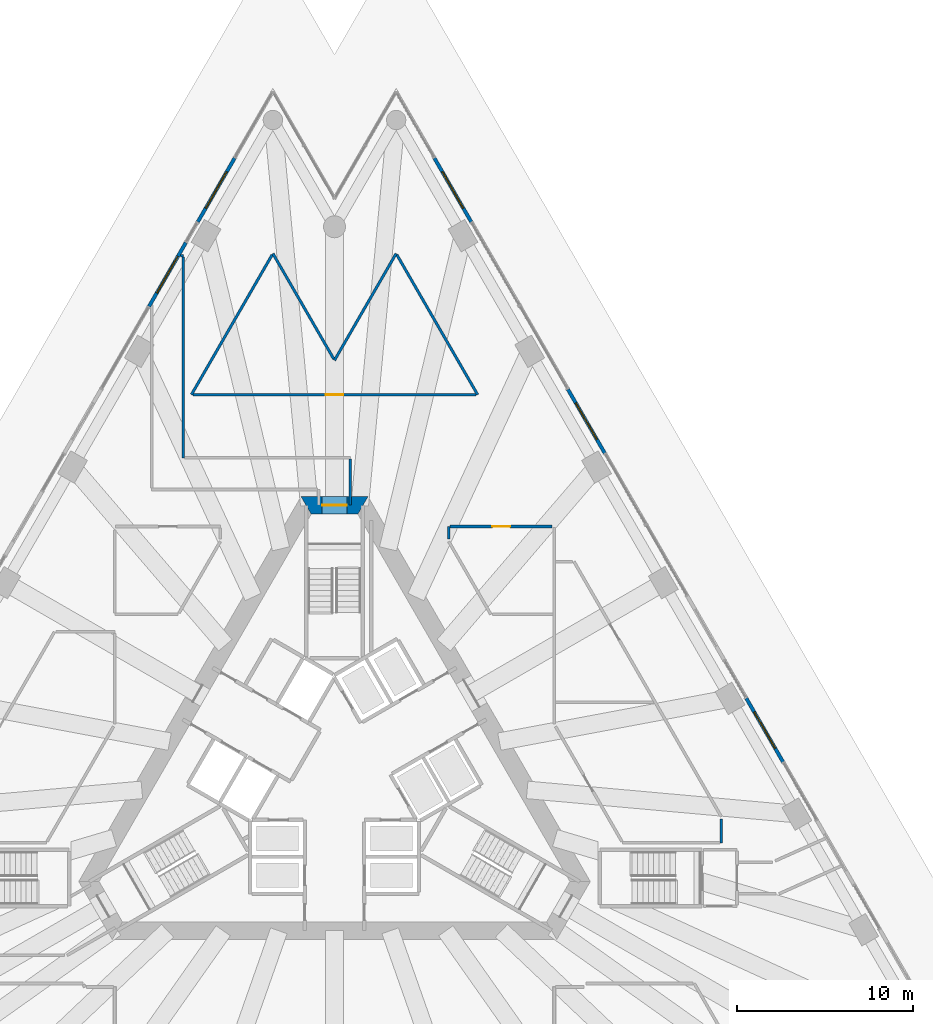
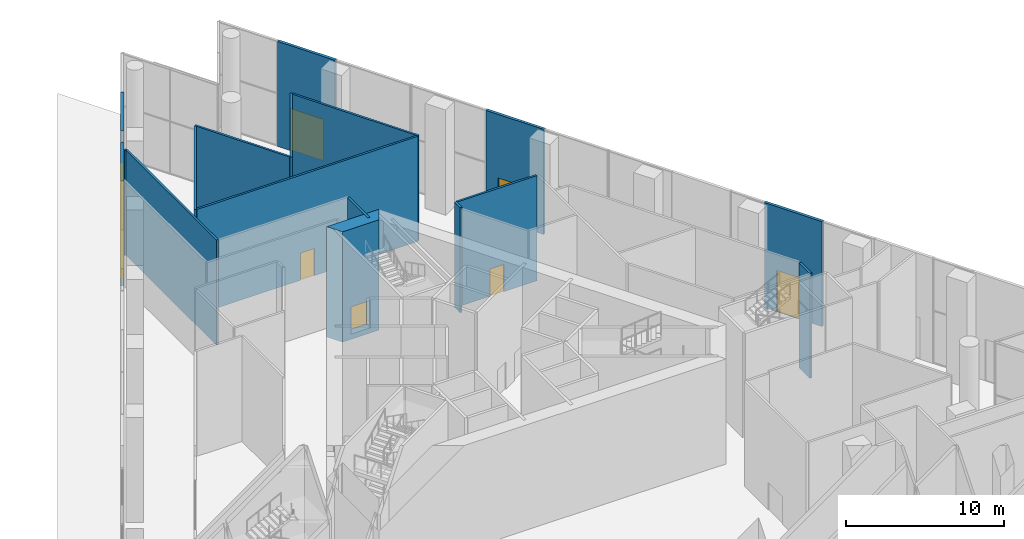
# One storey, part 27 of 41: 17 walls, 8 doors, 8 openings.
"""IFC4 building model written with IfcOpenShell, lengths in metres."""

from ifc_helpers import new_model, si_unit, direction, frame, frame_2d, origin, place, context, subcontext, project, spatial, polyline, rectangle, outline, extrude, material, layer, layer_set, layer_usage, type_object, element, fill, save


model = new_model("IFC4")

# Units and contexts
model_context = context("Model", 3, precision=1e-05, world=origin(), true_north=direction((0.0, 1.0)))
body_context = subcontext(model_context, "Body", "Model", "MODEL_VIEW")
ifc_project = project(units=[si_unit("LENGTHUNIT", "METRE"), si_unit("AREAUNIT", "SQUARE_METRE"), si_unit("VOLUMEUNIT", "CUBIC_METRE"), si_unit("PLANEANGLEUNIT", "RADIAN"), si_unit("MASSUNIT", "GRAM", prefix="KILO")], contexts=[model_context])

# Site, building, storey
site_placement = place(None, origin())
site = spatial("IfcSite", under=ifc_project, at=site_placement, CompositionType="ELEMENT")
building_placement = place(site_placement, origin())
building = spatial("IfcBuilding", under=site, at=building_placement, Name="Triada Interchange Tower", CompositionType="ELEMENT")
storey_placement = place(building_placement, origin())
storey = spatial("IfcBuildingStorey", under=building, at=storey_placement, Name="L00", CompositionType="ELEMENT", Elevation=0.0)

# Wall, opening, door
ifc_material_1 = material(Name="Concrete C70/85", Category="concrete")
ifc_layer_1 = layer(ifc_material_1, 1.0)
ifc_layer_set_1 = layer_set([ifc_layer_1], Name="Core wall P 1000")
wall_type_1 = type_object("IfcWallType", Name="Core wall P 1000", PredefinedType="SHEAR", material=ifc_layer_set_1)
wall_1_placement = place(storey_placement, frame((1.616943359375, 15.199951171875, -0.39990234375), z_axis=(0.0, 0.0, 1.0), x_axis=(-1.0, 0.0, 0.0)))
wall_1 = element("IfcWall", 1, at=wall_1_placement, inside=storey, type_object=wall_type_1, Name="Core wall WP01 L00", PredefinedType="SHEAR", context=body_context, shape_type="SweptSolid", body=[
    extrude(outline(polyline([(-0.2880859375, -0.5), (1.616943359375, -0.5), (3.52197265625, -0.5), (2.945068359375, 0.5), (1.6171875, 0.5), (0.2890625, 0.5), (-0.2880859375, -0.5)])), origin(), (0.0, 0.0, 1.0), 8.5),
])
opening_1_placement = place(wall_1_placement, frame((0.9169921875, 0.0, 0.39990234375)))
opening_1 = element("IfcOpeningElement", 2, at=opening_1_placement, cuts=wall_1, Name="Opening D00-53", PredefinedType="OPENING", context=body_context, shape_type="SweptSolid", body=[
    extrude(rectangle(XDim=1.39990234375, YDim=2.10009765625, at=frame_2d((0.699951171875, 1.050048828125))), frame((0.0, 0.510009765625, 0.0), z_axis=(0.0, -1.0, 0.0), x_axis=(1.0, 0.0, 0.0)), (0.0, 0.0, 1.0), 1.02001953125),
])
ifc_material_2 = material(Name="Steel S235 door leaf", Category="steel")
door_type_1 = type_object("IfcDoorType", Name="STAIR DOOR 1400 EI2 90-C5S200", OperationType="DOUBLE_DOOR_SINGLE_SWING", PredefinedType="DOOR", material=ifc_material_2)
door_1_placement = place(opening_1_placement, origin())
door_1 = element("IfcDoor", 3, at=door_1_placement, inside=storey, type_object=door_type_1, Name="Door D00-53 L00", OperationType="DOUBLE_DOOR_SINGLE_SWING", OverallHeight=2.10009765625, OverallWidth=1.39990234375, PredefinedType="DOOR", context=body_context, shape_type="SweptSolid", body=[
    extrude(rectangle(XDim=1.39990234375, YDim=2.10009765625, at=frame_2d((0.699951171875, 1.050048828125))), frame((0.0, 0.02490234375, 0.0), z_axis=(0.0, -1.0, 0.0), x_axis=(1.0, 0.0, 0.0)), (0.0, 0.0, 1.0), 0.050048828125),
])
fill(opening_1, door_1)

ifc_material_3 = material(Name="Cement board")
ifc_layer_2 = layer(ifc_material_3, 0.02001953125, Name="Cement board cladding")
ifc_material_4 = material(Name="Sheathing board")
ifc_layer_3 = layer(ifc_material_4, 0.014892578125, Name="Sheathing board")
ifc_material_5 = material(Name="Mineral wool")
ifc_layer_4 = layer(ifc_material_5, 0.14990234375, Name="Mineral wool between steel studs")
ifc_material_6 = material(Name="Gypsum board")
ifc_layer_5 = layer(ifc_material_6, 0.014892578125, Name="Plasterboard lining")
ifc_layer_set_2 = layer_set([ifc_layer_2, ifc_layer_3, ifc_layer_4, ifc_layer_5], Name="External wall 200")
ifc_layer_usage = layer_usage(ifc_layer_set_2, "AXIS2", "POSITIVE", -0.10009765625)
wall_type_2 = type_object("IfcWallType", Name="External wall 200", PredefinedType="ELEMENTEDWALL", material=ifc_layer_set_2)
wall_2_placement = place(storey_placement, frame((25.52197265625, 0.594970703125, 0.0), z_axis=(0.0, 0.0, 1.0), x_axis=(-0.499908613451, 0.866078159404, 0.0)))
wall_2 = element("IfcWall", 4, at=wall_2_placement, inside=storey, type_object=wall_type_2, material=ifc_layer_usage, Name="External wall L00 05.5", PredefinedType="ELEMENTEDWALL", context=body_context, shape_type="SweptSolid", body=[
    extrude(rectangle(XDim=4.200439453125, YDim=0.199951171875, at=frame_2d((2.10009765625, 0.0))), origin(), (0.0, 0.0, 1.0), 8.10009765625),
])
opening_2_placement = place(wall_2_placement, frame((0.89990234375, 0.0, 0.0)))
opening_2 = element("IfcOpeningElement", 5, at=opening_2_placement, cuts=wall_2, Name="Opening DX11", PredefinedType="OPENING", context=body_context, shape_type="SweptSolid", body=[
    extrude(rectangle(XDim=2.39990234375, YDim=3.199951171875, at=frame_2d((1.199951171875, 1.60009765625))), frame((0.0, 0.10986328125, 0.0), z_axis=(0.0, -1.0, 0.0), x_axis=(1.0, 0.0, 0.0)), (0.0, 0.0, 1.0), 0.219970703125),
])
ifc_material_7 = material(Name="Aluminium and glass", Category="aluminium")
door_type_2 = type_object("IfcDoorType", Name="Entrance door double", OperationType="DOUBLE_DOOR_SINGLE_SWING", PredefinedType="DOOR", material=ifc_material_7)
door_2_placement = place(opening_2_placement, frame((2.39990234375, 0.0, 0.0), z_axis=(0.0, 0.0, 1.0), x_axis=(-1.0, 0.0, 0.0)))
door_2 = element("IfcDoor", 6, at=door_2_placement, inside=storey, type_object=door_type_2, Name="Door DX11 L00", OperationType="DOUBLE_DOOR_SINGLE_SWING", OverallHeight=3.199951171875, OverallWidth=2.39990234375, PredefinedType="DOOR", context=body_context, shape_type="SweptSolid", body=[
    extrude(rectangle(XDim=2.39990234375, YDim=3.199951171875, at=frame_2d((1.199951171875, 1.60009765625))), frame((0.0, 0.02490234375, 0.0), z_axis=(0.0, -1.0, 0.0), x_axis=(1.0, 0.0, 0.0)), (0.0, 0.0, 1.0), 0.050048828125),
])
fill(opening_2, door_2)

wall_3_placement = place(storey_placement, frame((15.3759765625, 18.16796875, 0.0), z_axis=(0.0, 0.0, 1.0), x_axis=(-0.500052886544, 0.865994867571, 0.0)))
wall_3 = element("IfcWall", 7, at=wall_3_placement, inside=storey, type_object=wall_type_2, material=ifc_layer_usage, Name="External wall L00 05.9", PredefinedType="ELEMENTEDWALL", context=body_context, shape_type="SweptSolid", body=[
    extrude(rectangle(XDim=4.19970703125, YDim=0.199951171875, at=frame_2d((2.099853515625, 0.0))), origin(), (0.0, 0.0, 1.0), 8.10009765625),
])
opening_3_placement = place(wall_3_placement, frame((0.89990234375, 0.0, 0.0)))
opening_3 = element("IfcOpeningElement", 8, at=opening_3_placement, cuts=wall_3, Name="Opening DX12", PredefinedType="OPENING", context=body_context, shape_type="SweptSolid", body=[
    extrude(rectangle(XDim=2.39990234375, YDim=3.199951171875, at=frame_2d((1.199951171875, 1.60009765625))), frame((0.0, 0.10986328125, 0.0), z_axis=(0.0, -1.0, 0.0), x_axis=(1.0, 0.0, 0.0)), (0.0, 0.0, 1.0), 0.219970703125),
])
door_3_placement = place(opening_3_placement, frame((2.39990234375, 0.0, 0.0), z_axis=(0.0, 0.0, 1.0), x_axis=(-1.0, 0.0, 0.0)))
door_3 = element("IfcDoor", 9, at=door_3_placement, inside=storey, type_object=door_type_2, Name="Door DX12 L00", OperationType="DOUBLE_DOOR_SINGLE_SWING", OverallHeight=3.199951171875, OverallWidth=2.39990234375, PredefinedType="DOOR", context=body_context, shape_type="SweptSolid", body=[
    extrude(rectangle(XDim=2.39990234375, YDim=3.199951171875, at=frame_2d((1.199951171875, 1.60009765625))), frame((0.0, 0.02490234375, 0.0), z_axis=(0.0, -1.0, 0.0), x_axis=(1.0, 0.0, 0.0)), (0.0, 0.0, 1.0), 0.050048828125),
])
fill(opening_3, door_3)

wall_4_placement = place(storey_placement, frame((7.780029296875, 31.323974609375, 0.0), z_axis=(0.0, 0.0, 1.0), x_axis=(-0.499952208475, 0.866052994476, 0.0)))
wall_4 = element("IfcWall", 10, at=wall_4_placement, inside=storey, type_object=wall_type_2, material=ifc_layer_usage, Name="External wall L00 05.11", PredefinedType="ELEMENTEDWALL", context=body_context, shape_type="SweptSolid", body=[
    extrude(rectangle(XDim=4.20068359375, YDim=0.199951171875, at=frame_2d((2.100341796875, 0.0))), origin(), (0.0, 0.0, 1.0), 8.10009765625),
])
opening_4_placement = place(wall_4_placement, frame((0.89990234375, 0.0, 0.0)))
opening_4 = element("IfcOpeningElement", 11, at=opening_4_placement, cuts=wall_4, Name="Opening DX13", PredefinedType="OPENING", context=body_context, shape_type="SweptSolid", body=[
    extrude(rectangle(XDim=2.39990234375, YDim=3.199951171875, at=frame_2d((1.199951171875, 1.60009765625))), frame((0.0, 0.10986328125, 0.0), z_axis=(0.0, -1.0, 0.0), x_axis=(1.0, 0.0, 0.0)), (0.0, 0.0, 1.0), 0.219970703125),
])
door_4_placement = place(opening_4_placement, frame((2.39990234375, 0.0, 0.0), z_axis=(0.0, 0.0, 1.0), x_axis=(-1.0, 0.0, 0.0)))
door_4 = element("IfcDoor", 12, at=door_4_placement, inside=storey, type_object=door_type_2, Name="Door DX13 L00", OperationType="DOUBLE_DOOR_SINGLE_SWING", OverallHeight=3.199951171875, OverallWidth=2.39990234375, PredefinedType="DOOR", context=body_context, shape_type="SweptSolid", body=[
    extrude(rectangle(XDim=2.39990234375, YDim=3.199951171875, at=frame_2d((1.199951171875, 1.60009765625))), frame((0.0, 0.02490234375, 0.0), z_axis=(0.0, -1.0, 0.0), x_axis=(1.0, 0.0, 0.0)), (0.0, 0.0, 1.0), 0.050048828125),
])
fill(opening_4, door_4)

wall_5_placement = place(storey_placement, frame((-5.679931640625, 34.9609375, 0.0), z_axis=(0.0, 0.0, 1.0), x_axis=(-0.500052886544, -0.865994867571, 0.0)))
wall_5 = element("IfcWall", 13, at=wall_5_placement, inside=storey, type_object=wall_type_2, material=ifc_layer_usage, Name="External wall L00 08.1", PredefinedType="ELEMENTEDWALL", context=body_context, shape_type="SweptSolid", body=[
    extrude(rectangle(XDim=4.19970703125, YDim=0.199951171875, at=frame_2d((2.099853515625, 0.0))), origin(), (0.0, 0.0, 1.0), 8.10009765625),
])
opening_5_placement = place(wall_5_placement, frame((0.89990234375, 0.0, 0.0)))
opening_5 = element("IfcOpeningElement", 14, at=opening_5_placement, cuts=wall_5, Name="Opening DX14", PredefinedType="OPENING", context=body_context, shape_type="SweptSolid", body=[
    extrude(rectangle(XDim=2.39990234375, YDim=3.199951171875, at=frame_2d((1.199951171875, 1.60009765625))), frame((0.0, 0.10986328125, 0.0), z_axis=(0.0, -1.0, 0.0), x_axis=(1.0, 0.0, 0.0)), (0.0, 0.0, 1.0), 0.219970703125),
])
door_5_placement = place(opening_5_placement, frame((2.39990234375, 0.0, 0.0), z_axis=(0.0, 0.0, 1.0), x_axis=(-1.0, 0.0, 0.0)))
door_5 = element("IfcDoor", 15, at=door_5_placement, inside=storey, type_object=door_type_2, Name="Door DX14 L00", OperationType="DOUBLE_DOOR_SINGLE_SWING", OverallHeight=3.199951171875, OverallWidth=2.39990234375, PredefinedType="DOOR", context=body_context, shape_type="SweptSolid", body=[
    extrude(rectangle(XDim=2.39990234375, YDim=3.199951171875, at=frame_2d((1.199951171875, 1.60009765625))), frame((0.0, 0.02490234375, 0.0), z_axis=(0.0, -1.0, 0.0), x_axis=(1.0, 0.0, 0.0)), (0.0, 0.0, 1.0), 0.050048828125),
])
fill(opening_5, door_5)

wall_6_placement = place(storey_placement, frame((-8.45703125, 30.15087890625, 0.0), z_axis=(0.0, 0.0, 1.0), x_axis=(-0.500009288593, -0.866020040946, 0.0)))
wall_6 = element("IfcWall", 16, at=wall_6_placement, inside=storey, type_object=wall_type_2, material=ifc_layer_usage, Name="External wall L00 08.3", PredefinedType="ELEMENTEDWALL", context=body_context, shape_type="SweptSolid", body=[
    extrude(rectangle(XDim=4.19970703125, YDim=0.199951171875, at=frame_2d((2.099853515625, 0.0))), origin(), (0.0, 0.0, 1.0), 8.10009765625),
])
opening_6_placement = place(wall_6_placement, frame((0.89990234375, 0.0, 0.0)))
opening_6 = element("IfcOpeningElement", 17, at=opening_6_placement, cuts=wall_6, Name="Opening DX25", PredefinedType="OPENING", context=body_context, shape_type="SweptSolid", body=[
    extrude(rectangle(XDim=2.39990234375, YDim=3.199951171875, at=frame_2d((1.199951171875, 1.60009765625))), frame((0.0, 0.10986328125, 0.0), z_axis=(0.0, -1.0, 0.0), x_axis=(1.0, 0.0, 0.0)), (0.0, 0.0, 1.0), 0.219970703125),
])
door_6_placement = place(opening_6_placement, frame((2.39990234375, 0.0, 0.0), z_axis=(0.0, 0.0, 1.0), x_axis=(-1.0, 0.0, 0.0)))
door_6 = element("IfcDoor", 18, at=door_6_placement, inside=storey, type_object=door_type_2, Name="Door DX25 L00", OperationType="DOUBLE_DOOR_SINGLE_SWING", OverallHeight=3.199951171875, OverallWidth=2.39990234375, PredefinedType="DOOR", context=body_context, shape_type="SweptSolid", body=[
    extrude(rectangle(XDim=2.39990234375, YDim=3.199951171875, at=frame_2d((1.199951171875, 1.60009765625))), frame((0.0, 0.02490234375, 0.0), z_axis=(0.0, -1.0, 0.0), x_axis=(1.0, 0.0, 0.0)), (0.0, 0.0, 1.0), 0.050048828125),
])
fill(opening_6, door_6)

# Walls
ifc_material_8 = material(Name="Gypsum board partition")
ifc_layer_6 = layer(ifc_material_8, 0.14990234375)
ifc_layer_set_3 = layer_set([ifc_layer_6], Name="PARTITION 150 EI 180")
wall_type_3 = type_object("IfcWallType", Name="PARTITION 150 EI 180", PredefinedType="PARTITIONING", material=ifc_layer_set_3)
wall_7_placement = place(storey_placement, frame((-8.77490234375, 29.39990234375, 0.0), z_axis=(0.0, 0.0, 1.0), x_axis=(1.0, 0.0, 0.0)))
element("IfcWall", 19, at=wall_7_placement, inside=storey, type_object=wall_type_3, Name="Wall L00 23", PredefinedType="PARTITIONING", context=body_context, shape_type="SweptSolid", body=[
    extrude(rectangle(XDim=0.1748046875, YDim=0.14990234375, at=frame_2d((0.08740234375, 0.0))), origin(), (0.0, 0.0, 1.0), 8.10009765625),
])
wall_8_placement = place(storey_placement, frame((-8.60009765625, 17.89990234375, 0.0), z_axis=(0.0, 0.0, 1.0), x_axis=(0.0, 1.0, 0.0)))
element("IfcWall", 20, at=wall_8_placement, inside=storey, type_object=wall_type_3, Name="Wall L00 24", PredefinedType="PARTITIONING", context=body_context, shape_type="SweptSolid", body=[
    extrude(rectangle(XDim=11.425048828125, YDim=0.14990234375, at=frame_2d((5.71240234375, 0.0))), origin(), (0.0, 0.0, 1.0), 8.10009765625),
])
wall_9_placement = place(storey_placement, frame((0.89990234375, 15.219970703125, 0.0), z_axis=(0.0, 0.0, 1.0), x_axis=(0.0, 1.0, 0.0)))
element("IfcWall", 21, at=wall_9_placement, inside=storey, type_object=wall_type_3, Name="Wall L00 26", PredefinedType="PARTITIONING", context=body_context, shape_type="SweptSolid", body=[
    extrude(rectangle(XDim=2.60498046875, YDim=0.14990234375, at=frame_2d((1.302490234375, 0.0))), origin(), (0.0, 0.0, 1.0), 8.10009765625),
])
ifc_layer_7 = layer(ifc_material_8, 0.14990234375)
ifc_layer_set_4 = layer_set([ifc_layer_7], Name="PARTITION 150 EI 90")
wall_type_4 = type_object("IfcWallType", Name="PARTITION 150 EI 90", PredefinedType="PARTITIONING", material=ifc_layer_set_4)
wall_10_placement = place(storey_placement, frame((-0.0029296875, 23.450927734375, 0.0), z_axis=(0.0, 0.0, 1.0), x_axis=(0.500046806923, 0.865998378108, 0.0)))
element("IfcWall", 22, at=wall_10_placement, inside=storey, type_object=wall_type_4, Name="Wall L00 66", PredefinedType="PARTITIONING", context=body_context, shape_type="SweptSolid", body=[
    extrude(rectangle(XDim=7.014892578125, YDim=0.14990234375, at=frame_2d((3.50732421875, 0.0))), origin(), (0.0, 0.0, 1.0), 8.10009765625),
])
wall_11_placement = place(storey_placement, frame((3.551025390625, 29.449951171875, 0.0), z_axis=(0.0, 0.0, 1.0), x_axis=(0.499915084064, -0.866074424472, 0.0)))
element("IfcWall", 23, at=wall_11_placement, inside=storey, type_object=wall_type_4, Name="Wall L00 101", PredefinedType="PARTITIONING", context=body_context, shape_type="SweptSolid", body=[
    extrude(rectangle(XDim=9.17919921875, YDim=0.14990234375, at=frame_2d((4.589599609375, 0.0))), origin(), (0.0, 0.0, 1.0), 8.10009765625),
])
wall_12_placement = place(storey_placement, frame((22.0, -4.0, 0.0), z_axis=(0.0, 0.0, 1.0), x_axis=(0.0, 1.0, 0.0)))
element("IfcWall", 24, at=wall_12_placement, inside=storey, type_object=wall_type_4, Name="Wall L00 103", PredefinedType="PARTITIONING", context=body_context, shape_type="SweptSolid", body=[
    extrude(rectangle(XDim=1.344970703125, YDim=0.14990234375, at=frame_2d((0.67236328125, 0.0))), origin(), (0.0, 0.0, 1.0), 8.10009765625),
])
wall_13_placement = place(storey_placement, frame((6.5, 13.2919921875, 0.0), z_axis=(0.0, 0.0, 1.0), x_axis=(0.0, 1.0, 0.0)))
element("IfcWall", 25, at=wall_13_placement, inside=storey, type_object=wall_type_4, Name="Wall L00 110", PredefinedType="PARTITIONING", context=body_context, shape_type="SweptSolid", body=[
    extrude(rectangle(XDim=0.7080078125, YDim=0.14990234375, at=frame_2d((0.35400390625, 0.0))), origin(), (0.0, 0.0, 1.0), 8.10009765625),
])

# Wall, opening, door
wall_14_placement = place(storey_placement, frame((6.574951171875, 14.0, 0.0), z_axis=(0.0, 0.0, 1.0), x_axis=(1.0, 0.0, 0.0)))
wall_14 = element("IfcWall", 26, at=wall_14_placement, inside=storey, type_object=wall_type_4, Name="Wall L00 112", PredefinedType="PARTITIONING", context=body_context, shape_type="SweptSolid", body=[
    extrude(rectangle(XDim=5.80908203125, YDim=0.14990234375, at=frame_2d((2.904541015625, 0.0))), origin(), (0.0, 0.0, 1.0), 8.10009765625),
])
opening_7_placement = place(wall_14_placement, frame((2.409912109375, 0.0, 0.0)))
opening_7 = element("IfcOpeningElement", 27, at=opening_7_placement, cuts=wall_14, Name="Opening D00-51", PredefinedType="OPENING", context=body_context, shape_type="SweptSolid", body=[
    extrude(rectangle(XDim=1.0, YDim=2.10009765625, at=frame_2d((0.5, 1.050048828125))), frame((0.0, 0.0849609375, 0.0), z_axis=(0.0, -1.0, 0.0), x_axis=(1.0, 0.0, 0.0)), (0.0, 0.0, 1.0), 0.169921875),
])
door_type_3 = type_object("IfcDoorType", Name="ROOM DOOR 1000 EI2 45-C5S200", OperationType="NOTDEFINED", PredefinedType="DOOR", material=ifc_material_2)
door_7_placement = place(opening_7_placement, origin())
door_7 = element("IfcDoor", 28, at=door_7_placement, inside=storey, type_object=door_type_3, Name="Door D00-51 L00", OperationType="SINGLE_SWING_LEFT", OverallHeight=2.10009765625, OverallWidth=1.0, PredefinedType="DOOR", context=body_context, shape_type="SweptSolid", body=[
    extrude(rectangle(XDim=1.0, YDim=2.10009765625, at=frame_2d((0.5, 1.050048828125))), frame((0.0, 0.02490234375, 0.0), z_axis=(0.0, -1.0, 0.0), x_axis=(1.0, 0.0, 0.0)), (0.0, 0.0, 1.0), 0.050048828125),
])
fill(opening_7, door_7)

# Walls
wall_15_placement = place(storey_placement, frame((-3.5048828125, 29.52587890625, 0.0), z_axis=(0.0, 0.0, 1.0), x_axis=(0.49997462182, -0.866040055388, 0.0)))
element("IfcWall", 29, at=wall_15_placement, inside=storey, type_object=wall_type_4, Name="Wall L00 122", PredefinedType="PARTITIONING", context=body_context, shape_type="SweptSolid", body=[
    extrude(rectangle(XDim=6.927978515625, YDim=0.14990234375, at=frame_2d((3.4638671875, 0.0))), origin(), (0.0, 0.0, 1.0), 8.10009765625),
])
wall_16_placement = place(storey_placement, frame((-8.139892578125, 21.5, 0.0), z_axis=(0.0, 0.0, 1.0), x_axis=(0.499915084064, 0.866074424472, 0.0)))
element("IfcWall", 30, at=wall_16_placement, inside=storey, type_object=wall_type_4, Name="Wall L00 127", PredefinedType="PARTITIONING", context=body_context, shape_type="SweptSolid", body=[
    extrude(rectangle(XDim=9.17919921875, YDim=0.14990234375, at=frame_2d((4.589599609375, 0.0))), origin(), (0.0, 0.0, 1.0), 8.10009765625),
])

# Wall, opening, door
wall_17_placement = place(storey_placement, frame((-8.053955078125, 21.5, 0.0), z_axis=(0.0, 0.0, 1.0), x_axis=(1.0, 0.0, 0.0)))
wall_17 = element("IfcWall", 31, at=wall_17_placement, inside=storey, type_object=wall_type_4, Name="Wall L00 144", PredefinedType="PARTITIONING", context=body_context, shape_type="SweptSolid", body=[
    extrude(rectangle(XDim=16.10791015625, YDim=0.14990234375, at=frame_2d((8.053955078125, 0.0))), origin(), (0.0, 0.0, 1.0), 8.10009765625),
])
opening_8_placement = place(wall_17_placement, frame((7.553955078125, 0.0, 0.0)))
opening_8 = element("IfcOpeningElement", 32, at=opening_8_placement, cuts=wall_17, Name="Opening D00-49", PredefinedType="OPENING", context=body_context, shape_type="SweptSolid", body=[
    extrude(rectangle(XDim=1.0, YDim=2.10009765625, at=frame_2d((0.5, 1.050048828125))), frame((0.0, 0.0849609375, 0.0), z_axis=(0.0, -1.0, 0.0), x_axis=(1.0, 0.0, 0.0)), (0.0, 0.0, 1.0), 0.169921875),
])
door_type_4 = type_object("IfcDoorType", Name="ROOM DOOR 1000 EI2 90-C5S200", OperationType="NOTDEFINED", PredefinedType="DOOR", material=ifc_material_2)
door_8_placement = place(opening_8_placement, origin())
door_8 = element("IfcDoor", 33, at=door_8_placement, inside=storey, type_object=door_type_4, Name="Door D00-49 L00", OperationType="SINGLE_SWING_RIGHT", OverallHeight=2.10009765625, OverallWidth=1.0, PredefinedType="DOOR", context=body_context, shape_type="SweptSolid", body=[
    extrude(rectangle(XDim=1.0, YDim=2.10009765625, at=frame_2d((0.5, 1.050048828125))), frame((0.0, 0.02490234375, 0.0), z_axis=(0.0, -1.0, 0.0), x_axis=(1.0, 0.0, 0.0)), (0.0, 0.0, 1.0), 0.050048828125),
])
fill(opening_8, door_8)

save(model, "model.ifc")
